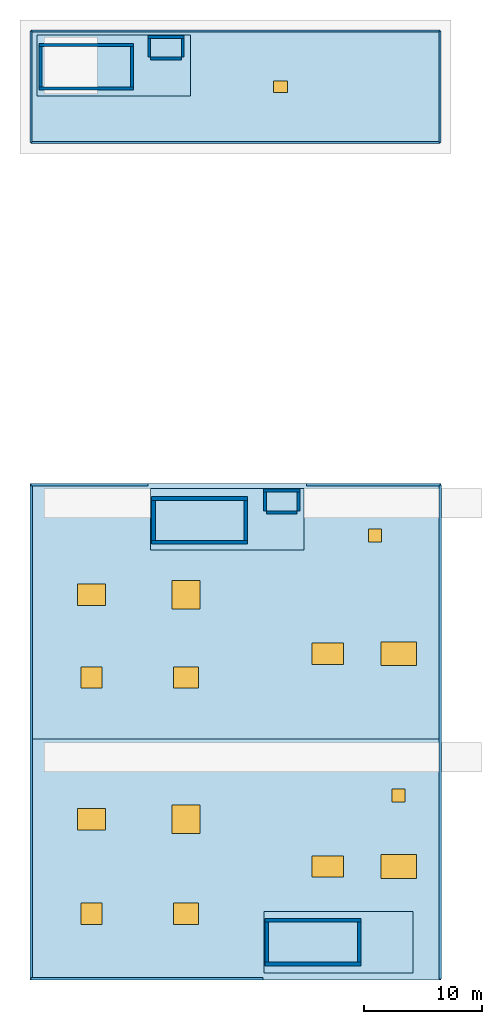
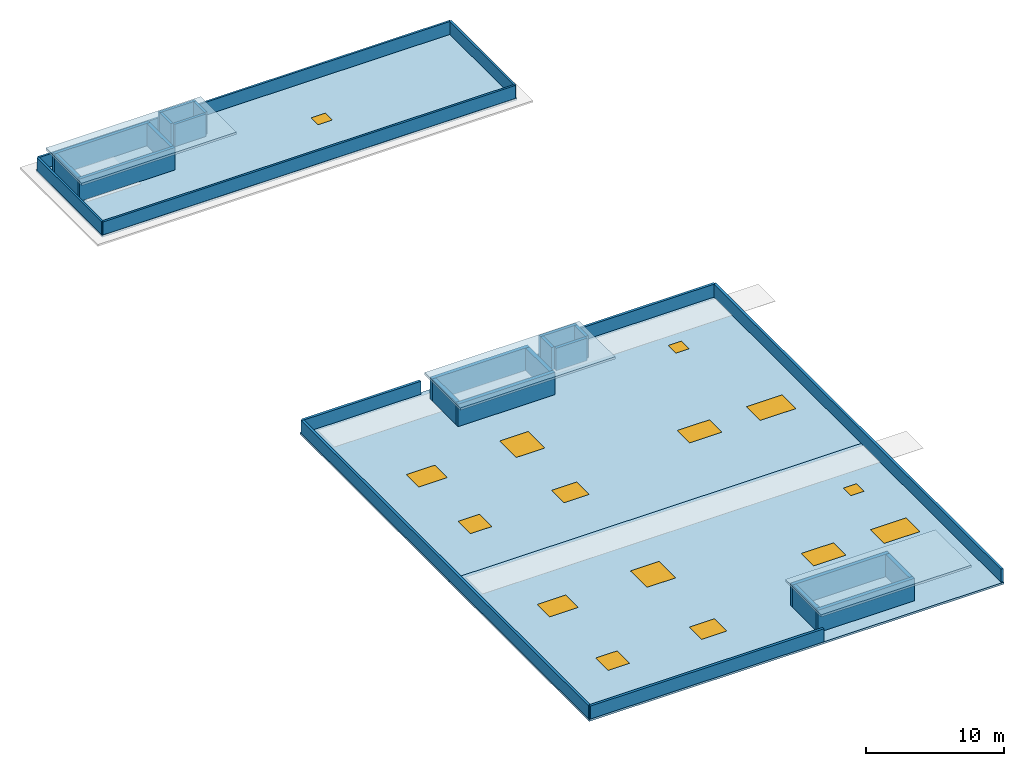
"""IFC4 building model written with IfcOpenShell, lengths in metres."""

from ifc_helpers import new_model, si_unit, direction, frame, frame_2d, origin, origin_2d, place, context, subcontext, project, spatial, polyline, rectangle, outline, extrude, material, layer, layer_set, type_object, element, fill, save


model = new_model("IFC4")

# Units and contexts
model_context = context("Model", 3, precision=1e-05, world=origin(), true_north=direction((0.0, 1.0)))
body_context = subcontext(model_context, "Body", "Model", "MODEL_VIEW")
ifc_project = project(units=[si_unit("LENGTHUNIT", "METRE"), si_unit("AREAUNIT", "SQUARE_METRE"), si_unit("VOLUMEUNIT", "CUBIC_METRE"), si_unit("PLANEANGLEUNIT", "RADIAN"), si_unit("MASSUNIT", "GRAM", prefix="KILO")], contexts=[model_context])

# Site, building, storey
site_placement = place(None, origin())
site = spatial("IfcSite", under=ifc_project, at=site_placement, CompositionType="ELEMENT")
building_placement = place(site_placement, origin())
building = spatial("IfcBuilding", under=site, at=building_placement, Name="Nzembalo Square Collegiate School", CompositionType="ELEMENT")
storey_1_placement = place(building_placement, frame((0.0, 0.0, 24.820068359375)))
storey_1 = spatial("IfcBuildingStorey", under=building, at=storey_1_placement, Name="RF", CompositionType="ELEMENT", Elevation=24.820068359375)

# Slabs
ifc_material_1 = material(Name="Concrete C35/45", Category="concrete")
ifc_layer_1 = layer(ifc_material_1, 0.2099609375, Name="Concrete C35/45")
ifc_layer_set_1 = layer_set([ifc_layer_1], Name="Concrete C35/45")
slab_type_1 = type_object("IfcSlabType", Name="RS-C21", PredefinedType="ROOF", material=ifc_layer_set_1)
slab_1_placement = place(storey_1_placement, frame((0.0, 0.0, 1.77001953125)))
element("IfcSlab", 1, at=slab_1_placement, inside=storey_1, type_object=slab_type_1, Name="Core C4 overrun roof slab RS-OV-C4", PredefinedType="ROOF", context=body_context, shape_type="SweptSolid", body=[
    extrude(outline(polyline([(131.39990234375, 83.199951171875), (144.39990234375, 83.199951171875), (144.39990234375, 88.39990234375), (131.39990234375, 88.39990234375), (131.39990234375, 83.199951171875)])), origin(), (0.0, 0.0, 1.0), 0.2099609375),
])
slab_2_placement = place(storey_1_placement, frame((0.0, 0.0, 1.77001953125)))
element("IfcSlab", 2, at=slab_2_placement, inside=storey_1, type_object=slab_type_1, Name="Core C5 overrun roof slab RS-OV-C5", PredefinedType="ROOF", context=body_context, shape_type="SweptSolid", body=[
    extrude(outline(polyline([(141.0, 44.800048828125), (154.0, 44.800048828125), (154.0, 50.0), (141.0, 50.0), (141.0, 44.800048828125)])), origin(), (0.0, 0.0, 1.0), 0.2099609375),
])
slab_3_placement = place(storey_1_placement, frame((0.0, 0.0, 1.77001953125)))
element("IfcSlab", 3, at=slab_3_placement, inside=storey_1, type_object=slab_type_1, Name="Core C6 overrun roof slab RS-OV-C6", PredefinedType="ROOF", context=body_context, shape_type="SweptSolid", body=[
    extrude(outline(polyline([(150.60009765625, 9.0), (163.199951171875, 9.0), (163.199951171875, 14.199951171875), (150.60009765625, 14.199951171875), (150.60009765625, 9.0)])), origin(), (0.0, 0.0, 1.0), 0.2099609375),
])

# Slab, openings
ifc_material_2 = material(Name="CLT CL24", Category="wood")
ifc_layer_2 = layer(ifc_material_2, 0.179931640625, Name="CLT CL24")
ifc_layer_set_2 = layer_set([ifc_layer_2], Name="CLT CL24")
slab_type_2 = type_object("IfcSlabType", Name="RS-F18", PredefinedType="ROOF", material=ifc_layer_set_2)
slab_4_placement = place(storey_1_placement, frame((0.0, 0.0, -0.18017578125)))
slab_4 = element("IfcSlab", 4, at=slab_4_placement, inside=storey_1, type_object=slab_type_2, Name="Main roof slab RS-RF-01", PredefinedType="ROOF", context=body_context, shape_type="SweptSolid", body=[
    extrude(outline(polyline([(130.800048828125, 8.39990234375), (165.60009765625, 8.39990234375), (165.60009765625, 28.800048828125), (130.800048828125, 28.800048828125), (130.800048828125, 8.39990234375)])), origin(), (0.0, 0.0, 1.0), 0.18017578125),
])
opening_1_placement = place(slab_4_placement, frame((136.0, 14.0, -0.010009765625)))
opening_1 = element("IfcOpeningElement", 5, at=opening_1_placement, cuts=slab_4, Name="Opening SK-RF-01", PredefinedType="OPENING", context=body_context, shape_type="SweptSolid", body=[
    extrude(rectangle(XDim=1.800048828125, YDim=1.800048828125, at=origin_2d()), origin(), (0.0, 0.0, 1.0), 0.2001953125),
])
opening_2_placement = place(slab_4_placement, frame((144.0, 14.0, -0.010009765625)))
opening_2 = element("IfcOpeningElement", 6, at=opening_2_placement, cuts=slab_4, Name="Opening SK-RF-02", PredefinedType="OPENING", context=body_context, shape_type="SweptSolid", body=[
    extrude(rectangle(XDim=2.10009765625, YDim=1.800048828125, at=origin_2d()), origin(), (0.0, 0.0, 1.0), 0.2001953125),
])
opening_3_placement = place(slab_4_placement, frame((136.0, 22.0, -0.010009765625)))
opening_3 = element("IfcOpeningElement", 7, at=opening_3_placement, cuts=slab_4, Name="Opening SK-RF-03", PredefinedType="OPENING", context=body_context, shape_type="SweptSolid", body=[
    extrude(rectangle(XDim=2.39990234375, YDim=1.800048828125, at=origin_2d()), origin(), (0.0, 0.0, 1.0), 0.2001953125),
])
opening_4_placement = place(slab_4_placement, frame((144.0, 22.0, -0.010009765625)))
opening_4 = element("IfcOpeningElement", 8, at=opening_4_placement, cuts=slab_4, Name="Opening SK-RF-04", PredefinedType="OPENING", context=body_context, shape_type="SweptSolid", body=[
    extrude(rectangle(XDim=2.39990234375, YDim=2.39990234375, at=origin_2d()), origin(), (0.0, 0.0, 1.0), 0.2001953125),
])
opening_5_placement = place(slab_4_placement, frame((156.0, 18.0, -0.010009765625)))
opening_5 = element("IfcOpeningElement", 9, at=opening_5_placement, cuts=slab_4, Name="Opening SK-RF-05", PredefinedType="OPENING", context=body_context, shape_type="SweptSolid", body=[
    extrude(rectangle(XDim=2.699951171875, YDim=1.800048828125, at=origin_2d()), origin(), (0.0, 0.0, 1.0), 0.2001953125),
])
opening_6_placement = place(slab_4_placement, frame((162.0, 18.0, -0.010009765625)))
opening_6 = element("IfcOpeningElement", 10, at=opening_6_placement, cuts=slab_4, Name="Opening SK-RF-06", PredefinedType="OPENING", context=body_context, shape_type="SweptSolid", body=[
    extrude(rectangle(XDim=3.0, YDim=2.0, at=origin_2d()), origin(), (0.0, 0.0, 1.0), 0.2001953125),
])
opening_7_placement = place(slab_4_placement, frame((162.0, 24.0, -0.010009765625)))
opening_7 = element("IfcOpeningElement", 11, at=opening_7_placement, cuts=slab_4, Name="Opening HD-01", PredefinedType="OPENING", context=body_context, shape_type="SweptSolid", body=[
    extrude(rectangle(XDim=1.10009765625, YDim=1.10009765625, at=origin_2d()), origin(), (0.0, 0.0, 1.0), 0.2001953125),
])

# Storey
storey_2_placement = place(building_placement, frame((0.0, 0.0, 21.080078125)))
storey_2 = spatial("IfcBuildingStorey", under=building, at=storey_2_placement, Name="L05", CompositionType="ELEMENT", Elevation=21.080078125)

# Door
ifc_material_3 = material(Name="Insulated galvanised steel", Category="steel")
door_type_1 = type_object("IfcDoorType", Name="RH01", OperationType="SINGLE_SWING_LEFT", PredefinedType="TRAPDOOR", material=ifc_material_3)
door_1_placement = place(slab_4_placement, frame((162.0, 24.0, 0.1201171875)))
door_1 = element("IfcDoor", 12, at=door_1_placement, inside=storey_2, type_object=door_type_1, Name="Roof access hatch HD-01", OperationType="SINGLE_SWING_LEFT", OverallHeight=1.10009765625, OverallWidth=1.10009765625, PredefinedType="TRAPDOOR", context=body_context, shape_type="SweptSolid", body=[
    extrude(rectangle(XDim=1.10009765625, YDim=1.10009765625, at=origin_2d()), origin(), (0.0, 0.0, 1.0), 0.06005859375),
])

fill(opening_7, door_1)

# Window
ifc_material_4 = material(Name="Laminated thermally broken skylight glazing", Category="glass")
window_type_1 = type_object("IfcWindowType", Name="SK01", PartitioningType="SINGLE_PANEL", PredefinedType="SKYLIGHT", material=ifc_material_4)
window_1_placement = place(slab_4_placement, frame((136.0, 14.0, 0.1201171875)))
window_1 = element("IfcWindow", 13, at=window_1_placement, inside=storey_2, type_object=window_type_1, Name="Roof skylight SK-RF-01", OverallHeight=1.800048828125, OverallWidth=1.800048828125, PartitioningType="SINGLE_PANEL", PredefinedType="SKYLIGHT", context=body_context, shape_type="SweptSolid", body=[
    extrude(rectangle(XDim=1.800048828125, YDim=1.800048828125, at=origin_2d()), origin(), (0.0, 0.0, 1.0), 0.06005859375),
])

fill(opening_1, window_1)

ifc_material_5 = material(Name="Laminated thermally broken skylight glazing", Category="glass")
window_type_2 = type_object("IfcWindowType", Name="SK02", PartitioningType="SINGLE_PANEL", PredefinedType="SKYLIGHT", material=ifc_material_5)
window_2_placement = place(slab_4_placement, frame((144.0, 14.0, 0.1201171875)))
window_2 = element("IfcWindow", 14, at=window_2_placement, inside=storey_2, type_object=window_type_2, Name="Roof skylight SK-RF-02", OverallHeight=1.800048828125, OverallWidth=2.10009765625, PartitioningType="SINGLE_PANEL", PredefinedType="SKYLIGHT", context=body_context, shape_type="SweptSolid", body=[
    extrude(rectangle(XDim=2.10009765625, YDim=1.800048828125, at=origin_2d()), origin(), (0.0, 0.0, 1.0), 0.06005859375),
])

fill(opening_2, window_2)

ifc_material_6 = material(Name="Laminated thermally broken skylight glazing", Category="glass")
window_type_3 = type_object("IfcWindowType", Name="SK03", PartitioningType="SINGLE_PANEL", PredefinedType="SKYLIGHT", material=ifc_material_6)
window_3_placement = place(slab_4_placement, frame((136.0, 22.0, 0.1201171875)))
window_3 = element("IfcWindow", 15, at=window_3_placement, inside=storey_2, type_object=window_type_3, Name="Roof skylight SK-RF-03", OverallHeight=1.800048828125, OverallWidth=2.39990234375, PartitioningType="SINGLE_PANEL", PredefinedType="SKYLIGHT", context=body_context, shape_type="SweptSolid", body=[
    extrude(rectangle(XDim=2.39990234375, YDim=1.800048828125, at=origin_2d()), origin(), (0.0, 0.0, 1.0), 0.06005859375),
])

fill(opening_3, window_3)

ifc_material_7 = material(Name="Laminated thermally broken skylight glazing", Category="glass")
window_type_4 = type_object("IfcWindowType", Name="SK04", PartitioningType="SINGLE_PANEL", PredefinedType="SKYLIGHT", material=ifc_material_7)
window_4_placement = place(slab_4_placement, frame((144.0, 22.0, 0.1201171875)))
window_4 = element("IfcWindow", 16, at=window_4_placement, inside=storey_2, type_object=window_type_4, Name="Roof skylight SK-RF-04", OverallHeight=2.39990234375, OverallWidth=2.39990234375, PartitioningType="SINGLE_PANEL", PredefinedType="SKYLIGHT", context=body_context, shape_type="SweptSolid", body=[
    extrude(rectangle(XDim=2.39990234375, YDim=2.39990234375, at=origin_2d()), origin(), (0.0, 0.0, 1.0), 0.06005859375),
])

fill(opening_4, window_4)

ifc_material_8 = material(Name="Laminated thermally broken skylight glazing", Category="glass")
window_type_5 = type_object("IfcWindowType", Name="SK05", PartitioningType="SINGLE_PANEL", PredefinedType="SKYLIGHT", material=ifc_material_8)
window_5_placement = place(slab_4_placement, frame((156.0, 18.0, 0.1201171875)))
window_5 = element("IfcWindow", 17, at=window_5_placement, inside=storey_2, type_object=window_type_5, Name="Roof skylight SK-RF-05", OverallHeight=1.800048828125, OverallWidth=2.699951171875, PartitioningType="SINGLE_PANEL", PredefinedType="SKYLIGHT", context=body_context, shape_type="SweptSolid", body=[
    extrude(rectangle(XDim=2.699951171875, YDim=1.800048828125, at=origin_2d()), origin(), (0.0, 0.0, 1.0), 0.06005859375),
])

fill(opening_5, window_5)

ifc_material_9 = material(Name="Laminated thermally broken skylight glazing", Category="glass")
window_type_6 = type_object("IfcWindowType", Name="SK06", PartitioningType="SINGLE_PANEL", PredefinedType="SKYLIGHT", material=ifc_material_9)
window_6_placement = place(slab_4_placement, frame((162.0, 18.0, 0.1201171875)))
window_6 = element("IfcWindow", 18, at=window_6_placement, inside=storey_2, type_object=window_type_6, Name="Roof skylight SK-RF-06", OverallHeight=2.0, OverallWidth=3.0, PartitioningType="SINGLE_PANEL", PredefinedType="SKYLIGHT", context=body_context, shape_type="SweptSolid", body=[
    extrude(rectangle(XDim=3.0, YDim=2.0, at=origin_2d()), origin(), (0.0, 0.0, 1.0), 0.06005859375),
])

fill(opening_6, window_6)

# Slab, openings, door, windows
slab_5_placement = place(storey_1_placement, frame((0.0, 0.0, -0.18017578125)))
slab_5 = element("IfcSlab", 19, at=slab_5_placement, inside=storey_1, type_object=slab_type_2, Name="Main roof slab RS-RF-02", PredefinedType="ROOF", context=body_context, shape_type="SweptSolid", body=[
    extrude(outline(polyline([(130.800048828125, 28.800048828125), (165.60009765625, 28.800048828125), (165.60009765625, 50.39990234375), (130.800048828125, 50.39990234375), (130.800048828125, 28.800048828125)])), origin(), (0.0, 0.0, 1.0), 0.18017578125),
])
opening_8_placement = place(slab_5_placement, frame((136.0, 34.0, -0.010009765625)))
opening_8 = element("IfcOpeningElement", 20, at=opening_8_placement, cuts=slab_5, Name="Opening SK-RF-07", PredefinedType="OPENING", context=body_context, shape_type="SweptSolid", body=[
    extrude(rectangle(XDim=1.800048828125, YDim=1.800048828125, at=origin_2d()), origin(), (0.0, 0.0, 1.0), 0.2001953125),
])
opening_9_placement = place(slab_5_placement, frame((144.0, 34.0, -0.010009765625)))
opening_9 = element("IfcOpeningElement", 21, at=opening_9_placement, cuts=slab_5, Name="Opening SK-RF-08", PredefinedType="OPENING", context=body_context, shape_type="SweptSolid", body=[
    extrude(rectangle(XDim=2.10009765625, YDim=1.800048828125, at=origin_2d()), origin(), (0.0, 0.0, 1.0), 0.2001953125),
])
opening_10_placement = place(slab_5_placement, frame((136.0, 41.0, -0.010009765625)))
opening_10 = element("IfcOpeningElement", 22, at=opening_10_placement, cuts=slab_5, Name="Opening SK-RF-09", PredefinedType="OPENING", context=body_context, shape_type="SweptSolid", body=[
    extrude(rectangle(XDim=2.39990234375, YDim=1.800048828125, at=origin_2d()), origin(), (0.0, 0.0, 1.0), 0.2001953125),
])
opening_11_placement = place(slab_5_placement, frame((144.0, 41.0, -0.010009765625)))
opening_11 = element("IfcOpeningElement", 23, at=opening_11_placement, cuts=slab_5, Name="Opening SK-RF-10", PredefinedType="OPENING", context=body_context, shape_type="SweptSolid", body=[
    extrude(rectangle(XDim=2.39990234375, YDim=2.39990234375, at=origin_2d()), origin(), (0.0, 0.0, 1.0), 0.2001953125),
])
opening_12_placement = place(slab_5_placement, frame((156.0, 36.0, -0.010009765625)))
opening_12 = element("IfcOpeningElement", 24, at=opening_12_placement, cuts=slab_5, Name="Opening SK-RF-11", PredefinedType="OPENING", context=body_context, shape_type="SweptSolid", body=[
    extrude(rectangle(XDim=2.699951171875, YDim=1.800048828125, at=origin_2d()), origin(), (0.0, 0.0, 1.0), 0.2001953125),
])
opening_13_placement = place(slab_5_placement, frame((162.0, 36.0, -0.010009765625)))
opening_13 = element("IfcOpeningElement", 25, at=opening_13_placement, cuts=slab_5, Name="Opening SK-RF-12", PredefinedType="OPENING", context=body_context, shape_type="SweptSolid", body=[
    extrude(rectangle(XDim=3.0, YDim=2.0, at=origin_2d()), origin(), (0.0, 0.0, 1.0), 0.2001953125),
])
opening_14_placement = place(slab_5_placement, frame((160.0, 46.0, -0.010009765625)))
opening_14 = element("IfcOpeningElement", 26, at=opening_14_placement, cuts=slab_5, Name="Opening HD-02", PredefinedType="OPENING", context=body_context, shape_type="SweptSolid", body=[
    extrude(rectangle(XDim=1.10009765625, YDim=1.10009765625, at=origin_2d()), origin(), (0.0, 0.0, 1.0), 0.2001953125),
])
door_2_placement = place(slab_5_placement, frame((160.0, 46.0, 0.1201171875)))
door_2 = element("IfcDoor", 27, at=door_2_placement, inside=storey_2, type_object=door_type_1, Name="Roof access hatch HD-02", OperationType="SINGLE_SWING_LEFT", OverallHeight=1.10009765625, OverallWidth=1.10009765625, PredefinedType="TRAPDOOR", context=body_context, shape_type="SweptSolid", body=[
    extrude(rectangle(XDim=1.10009765625, YDim=1.10009765625, at=origin_2d()), origin(), (0.0, 0.0, 1.0), 0.06005859375),
])
fill(opening_14, door_2)
window_7_placement = place(slab_5_placement, frame((136.0, 34.0, 0.1201171875)))
window_7 = element("IfcWindow", 28, at=window_7_placement, inside=storey_2, type_object=window_type_1, Name="Roof skylight SK-RF-07", OverallHeight=1.800048828125, OverallWidth=1.800048828125, PartitioningType="SINGLE_PANEL", PredefinedType="SKYLIGHT", context=body_context, shape_type="SweptSolid", body=[
    extrude(rectangle(XDim=1.800048828125, YDim=1.800048828125, at=origin_2d()), origin(), (0.0, 0.0, 1.0), 0.06005859375),
])
fill(opening_8, window_7)
window_8_placement = place(slab_5_placement, frame((144.0, 34.0, 0.1201171875)))
window_8 = element("IfcWindow", 29, at=window_8_placement, inside=storey_2, type_object=window_type_2, Name="Roof skylight SK-RF-08", OverallHeight=1.800048828125, OverallWidth=2.10009765625, PartitioningType="SINGLE_PANEL", PredefinedType="SKYLIGHT", context=body_context, shape_type="SweptSolid", body=[
    extrude(rectangle(XDim=2.10009765625, YDim=1.800048828125, at=origin_2d()), origin(), (0.0, 0.0, 1.0), 0.06005859375),
])
fill(opening_9, window_8)
window_9_placement = place(slab_5_placement, frame((136.0, 41.0, 0.1201171875)))
window_9 = element("IfcWindow", 30, at=window_9_placement, inside=storey_2, type_object=window_type_3, Name="Roof skylight SK-RF-09", OverallHeight=1.800048828125, OverallWidth=2.39990234375, PartitioningType="SINGLE_PANEL", PredefinedType="SKYLIGHT", context=body_context, shape_type="SweptSolid", body=[
    extrude(rectangle(XDim=2.39990234375, YDim=1.800048828125, at=origin_2d()), origin(), (0.0, 0.0, 1.0), 0.06005859375),
])
fill(opening_10, window_9)
window_10_placement = place(slab_5_placement, frame((144.0, 41.0, 0.1201171875)))
window_10 = element("IfcWindow", 31, at=window_10_placement, inside=storey_2, type_object=window_type_4, Name="Roof skylight SK-RF-10", OverallHeight=2.39990234375, OverallWidth=2.39990234375, PartitioningType="SINGLE_PANEL", PredefinedType="SKYLIGHT", context=body_context, shape_type="SweptSolid", body=[
    extrude(rectangle(XDim=2.39990234375, YDim=2.39990234375, at=origin_2d()), origin(), (0.0, 0.0, 1.0), 0.06005859375),
])
fill(opening_11, window_10)
window_11_placement = place(slab_5_placement, frame((156.0, 36.0, 0.1201171875)))
window_11 = element("IfcWindow", 32, at=window_11_placement, inside=storey_2, type_object=window_type_5, Name="Roof skylight SK-RF-11", OverallHeight=1.800048828125, OverallWidth=2.699951171875, PartitioningType="SINGLE_PANEL", PredefinedType="SKYLIGHT", context=body_context, shape_type="SweptSolid", body=[
    extrude(rectangle(XDim=2.699951171875, YDim=1.800048828125, at=origin_2d()), origin(), (0.0, 0.0, 1.0), 0.06005859375),
])
fill(opening_12, window_11)
window_12_placement = place(slab_5_placement, frame((162.0, 36.0, 0.1201171875)))
window_12 = element("IfcWindow", 33, at=window_12_placement, inside=storey_2, type_object=window_type_6, Name="Roof skylight SK-RF-12", OverallHeight=2.0, OverallWidth=3.0, PartitioningType="SINGLE_PANEL", PredefinedType="SKYLIGHT", context=body_context, shape_type="SweptSolid", body=[
    extrude(rectangle(XDim=3.0, YDim=2.0, at=origin_2d()), origin(), (0.0, 0.0, 1.0), 0.06005859375),
])
fill(opening_13, window_12)

# Slab, opening, door
slab_6_placement = place(storey_1_placement, frame((0.0, 0.0, -0.18017578125)))
slab_6 = element("IfcSlab", 34, at=slab_6_placement, inside=storey_1, type_object=slab_type_2, Name="Main roof slab RS-RF-03", PredefinedType="ROOF", context=body_context, shape_type="SweptSolid", body=[
    extrude(outline(polyline([(130.800048828125, 79.199951171875), (165.60009765625, 79.199951171875), (165.60009765625, 88.800048828125), (130.800048828125, 88.800048828125), (130.800048828125, 79.199951171875)])), origin(), (0.0, 0.0, 1.0), 0.18017578125),
])
opening_15_placement = place(slab_6_placement, frame((152.0, 84.0, -0.010009765625)))
opening_15 = element("IfcOpeningElement", 35, at=opening_15_placement, cuts=slab_6, Name="Opening HD-03", PredefinedType="OPENING", context=body_context, shape_type="SweptSolid", body=[
    extrude(rectangle(XDim=1.199951171875, YDim=1.0, at=origin_2d()), origin(), (0.0, 0.0, 1.0), 0.2001953125),
])
ifc_material_10 = material(Name="Insulated galvanised steel", Category="steel")
door_type_2 = type_object("IfcDoorType", Name="RH02", OperationType="SINGLE_SWING_LEFT", PredefinedType="TRAPDOOR", material=ifc_material_10)
door_3_placement = place(slab_6_placement, frame((152.0, 84.0, 0.1201171875)))
door_3 = element("IfcDoor", 36, at=door_3_placement, inside=storey_2, type_object=door_type_2, Name="Roof access hatch HD-03", OperationType="SINGLE_SWING_LEFT", OverallHeight=1.0, OverallWidth=1.199951171875, PredefinedType="TRAPDOOR", context=body_context, shape_type="SweptSolid", body=[
    extrude(rectangle(XDim=1.199951171875, YDim=1.0, at=origin_2d()), origin(), (0.0, 0.0, 1.0), 0.06005859375),
])
fill(opening_15, door_3)

# Walls
ifc_material_11 = material(Name="Concrete C40/50", Category="concrete")
ifc_layer_3 = layer(ifc_material_11, 0.320068359375, Name="Concrete C40/50")
ifc_layer_set_3 = layer_set([ifc_layer_3], Name="Concrete C40/50")
wall_type_1 = type_object("IfcWallType", Name="SW01", PredefinedType="SHEAR", material=ifc_layer_set_3)
wall_1_placement = place(storey_1_placement, frame((141.239990234375, 45.60009765625, 0.0), z_axis=(0.0, 0.0, 1.0), x_axis=(0.0, 1.0, 0.0)))
element("IfcWall", 37, at=wall_1_placement, inside=storey_1, type_object=wall_type_1, Name="Core C5 stair shear wall W RF", PredefinedType="SHEAR", context=body_context, shape_type="SweptSolid", body=[
    extrude(rectangle(XDim=3.39990234375, YDim=0.320068359375, at=frame_2d((1.699951171875, 0.0))), origin(), (0.0, 0.0, 1.0), 1.97998046875),
])
for number, where, z_axis, x_axis, name in (
    (38, (141.080078125, 45.43994140625, 0.0), (0.0, 0.0, 1.0), (1.0, 0.0, 0.0), "Core C5 stair shear wall S RF"),
    (39, (141.080078125, 49.159912109375, 0.0), (0.0, 0.0, 1.0), (1.0, 0.0, 0.0), "Core C5 stair shear wall N RF"),
):
    element("IfcWall", number, at=place(storey_1_placement, frame(where, z_axis=z_axis, x_axis=x_axis)), inside=storey_1, type_object=wall_type_1, Name=name, PredefinedType="SHEAR", context=body_context, shape_type="SweptSolid", body=[
        extrude(rectangle(XDim=8.139892578125, YDim=0.320068359375, at=frame_2d((4.06982421875, 0.0))), origin(), (0.0, 0.0, 1.0), 1.97998046875),
    ])
wall_2_placement = place(storey_1_placement, frame((149.06005859375, 45.60009765625, 0.0), z_axis=(0.0, 0.0, 1.0), x_axis=(0.0, 1.0, 0.0)))
element("IfcWall", 40, at=wall_2_placement, inside=storey_1, type_object=wall_type_1, Name="Core C5 stair shear wall E RF", PredefinedType="SHEAR", context=body_context, shape_type="SweptSolid", body=[
    extrude(rectangle(XDim=3.39990234375, YDim=0.320068359375, at=frame_2d((1.699951171875, 0.0))), origin(), (0.0, 0.0, 1.0), 1.97998046875),
])
ifc_material_12 = material(Name="Concrete C40/50", Category="concrete")
ifc_layer_4 = layer(ifc_material_12, 0.300048828125, Name="Concrete C40/50")
ifc_layer_set_4 = layer_set([ifc_layer_4], Name="Concrete C40/50")
wall_type_2 = type_object("IfcWallType", Name="SW02", PredefinedType="SHEAR", material=ifc_layer_set_4)
wall_3_placement = place(storey_1_placement, frame((150.85009765625, 9.89990234375, 0.0), z_axis=(0.0, 0.0, 1.0), x_axis=(0.0, 1.0, 0.0)))
element("IfcWall", 41, at=wall_3_placement, inside=storey_1, type_object=wall_type_2, Name="Core C6 stair shear wall W RF", PredefinedType="SHEAR", context=body_context, shape_type="SweptSolid", body=[
    extrude(rectangle(XDim=3.400146484375, YDim=0.300048828125, at=frame_2d((1.7001953125, 0.0))), origin(), (0.0, 0.0, 1.0), 1.97998046875),
])
for number, where, z_axis, x_axis, name in (
    (42, (150.699951171875, 9.75, 0.0), (0.0, 0.0, 1.0), (1.0, 0.0, 0.0), "Core C6 stair shear wall S RF"),
    (43, (150.699951171875, 13.449951171875, 0.0), (0.0, 0.0, 1.0), (1.0, 0.0, 0.0), "Core C6 stair shear wall N RF"),
):
    element("IfcWall", number, at=place(storey_1_placement, frame(where, z_axis=z_axis, x_axis=x_axis)), inside=storey_1, type_object=wall_type_2, Name=name, PredefinedType="SHEAR", context=body_context, shape_type="SweptSolid", body=[
        extrude(rectangle(XDim=8.10009765625, YDim=0.300048828125, at=frame_2d((4.050048828125, 0.0))), origin(), (0.0, 0.0, 1.0), 1.97998046875),
    ])
wall_4_placement = place(storey_1_placement, frame((158.64990234375, 9.89990234375, 0.0), z_axis=(0.0, 0.0, 1.0), x_axis=(0.0, 1.0, 0.0)))
element("IfcWall", 44, at=wall_4_placement, inside=storey_1, type_object=wall_type_2, Name="Core C6 stair shear wall E RF", PredefinedType="SHEAR", context=body_context, shape_type="SweptSolid", body=[
    extrude(rectangle(XDim=3.400146484375, YDim=0.300048828125, at=frame_2d((1.7001953125, 0.0))), origin(), (0.0, 0.0, 1.0), 1.97998046875),
])
ifc_material_13 = material(Name="Concrete C35/45", Category="concrete")
ifc_layer_5 = layer(ifc_material_13, 0.260009765625, Name="Concrete C35/45")
ifc_layer_set_5 = layer_set([ifc_layer_5], Name="Concrete C35/45")
wall_type_3 = type_object("IfcWallType", Name="SW04", PredefinedType="SHEAR", material=ifc_layer_set_5)
wall_5_placement = place(storey_1_placement, frame((131.669921875, 84.0, 0.0), z_axis=(0.0, 0.0, 1.0), x_axis=(0.0, 1.0, 0.0)))
element("IfcWall", 45, at=wall_5_placement, inside=storey_1, type_object=wall_type_3, Name="Core C4 stair shear wall W RF", PredefinedType="SHEAR", context=body_context, shape_type="SweptSolid", body=[
    extrude(rectangle(XDim=3.39990234375, YDim=0.260009765625, at=frame_2d((1.699951171875, 0.0))), origin(), (0.0, 0.0, 1.0), 1.97998046875),
])
for number, where, z_axis, x_axis, name in (
    (46, (131.5400390625, 83.8701171875, 0.0), (0.0, 0.0, 1.0), (1.0, 0.0, 0.0), "Core C4 stair shear wall S RF"),
    (47, (131.5400390625, 87.530029296875, 0.0), (0.0, 0.0, 1.0), (1.0, 0.0, 0.0), "Core C4 stair shear wall N RF"),
):
    element("IfcWall", number, at=place(storey_1_placement, frame(where, z_axis=z_axis, x_axis=x_axis)), inside=storey_1, type_object=wall_type_3, Name=name, PredefinedType="SHEAR", context=body_context, shape_type="SweptSolid", body=[
        extrude(rectangle(XDim=8.02001953125, YDim=0.260009765625, at=frame_2d((4.010009765625, 0.0))), origin(), (0.0, 0.0, 1.0), 1.97998046875),
    ])
wall_6_placement = place(storey_1_placement, frame((139.429931640625, 84.0, 0.0), z_axis=(0.0, 0.0, 1.0), x_axis=(0.0, 1.0, 0.0)))
element("IfcWall", 48, at=wall_6_placement, inside=storey_1, type_object=wall_type_3, Name="Core C4 stair shear wall E RF", PredefinedType="SHEAR", context=body_context, shape_type="SweptSolid", body=[
    extrude(rectangle(XDim=3.39990234375, YDim=0.260009765625, at=frame_2d((1.699951171875, 0.0))), origin(), (0.0, 0.0, 1.0), 1.97998046875),
])
ifc_material_14 = material(Name="Concrete C35/45", Category="concrete")
ifc_layer_6 = layer(ifc_material_14, 0.25, Name="Concrete C35/45")
ifc_layer_set_6 = layer_set([ifc_layer_6], Name="Concrete C35/45")
wall_type_4 = type_object("IfcWallType", Name="SW05", PredefinedType="SHEAR", material=ifc_layer_set_6)
for number, where, z_axis, x_axis, name in (
    (49, (150.675048828125, 48.10009765625, 0.0), (0.0, 0.0, 1.0), (0.0, 1.0, 0.0), "Lift LF4 shaft wall W RF"),
    (50, (153.52490234375, 48.10009765625, 0.0), (0.0, 0.0, 1.0), (0.0, 1.0, 0.0), "Lift LF4 shaft wall E RF"),
):
    element("IfcWall", number, at=place(storey_1_placement, frame(where, z_axis=z_axis, x_axis=x_axis)), inside=storey_1, type_object=wall_type_4, Name=name, PredefinedType="SHEAR", context=body_context, shape_type="SweptSolid", body=[
        extrude(rectangle(XDim=1.599853515625, YDim=0.25, at=frame_2d((0.7998046875, 0.0))), origin(), (0.0, 0.0, 1.0), 1.97998046875),
    ])
wall_7_placement = place(storey_1_placement, frame((150.550048828125, 49.824951171875, 0.0), z_axis=(0.0, 0.0, 1.0), x_axis=(1.0, 0.0, 0.0)))
element("IfcWall", 51, at=wall_7_placement, inside=storey_1, type_object=wall_type_4, Name="Lift LF4 shaft wall N RF", PredefinedType="SHEAR", context=body_context, shape_type="SweptSolid", body=[
    extrude(rectangle(XDim=3.099853515625, YDim=0.25, at=frame_2d((1.5498046875, 0.0))), origin(), (0.0, 0.0, 1.0), 1.97998046875),
])
wall_8_placement = place(storey_1_placement, frame((150.800048828125, 47.97509765625, 0.0), z_axis=(0.0, 0.0, 1.0), x_axis=(1.0, 0.0, 0.0)))
element("IfcWall", 52, at=wall_8_placement, inside=storey_1, type_object=wall_type_4, Name="Lift LF4 landing front wall RF", PredefinedType="SHEAR", context=body_context, shape_type="SweptSolid", body=[
    extrude(rectangle(XDim=2.599853515625, YDim=0.25, at=frame_2d((1.2998046875, 0.0))), origin(), (0.0, 0.0, 1.0), 1.97998046875),
])
ifc_material_15 = material(Name="Concrete C35/45", Category="concrete")
ifc_layer_7 = layer(ifc_material_15, 0.219970703125, Name="Concrete C35/45")
ifc_layer_set_7 = layer_set([ifc_layer_7], Name="Concrete C35/45")
wall_type_5 = type_object("IfcWallType", Name="SW08", PredefinedType="SHEAR", material=ifc_layer_set_7)
for number, where, z_axis, x_axis, name in (
    (53, (140.889892578125, 86.5, 0.0), (0.0, 0.0, 1.0), (0.0, 1.0, 0.0), "Lift LF3 shaft wall W RF"),
    (54, (143.7099609375, 86.5, 0.0), (0.0, 0.0, 1.0), (0.0, 1.0, 0.0), "Lift LF3 shaft wall E RF"),
):
    element("IfcWall", number, at=place(storey_1_placement, frame(where, z_axis=z_axis, x_axis=x_axis)), inside=storey_1, type_object=wall_type_5, Name=name, PredefinedType="SHEAR", context=body_context, shape_type="SweptSolid", body=[
        extrude(rectangle(XDim=1.60009765625, YDim=0.219970703125, at=frame_2d((0.800048828125, 0.0))), origin(), (0.0, 0.0, 1.0), 1.97998046875),
    ])
wall_9_placement = place(storey_1_placement, frame((140.780029296875, 88.2099609375, 0.0), z_axis=(0.0, 0.0, 1.0), x_axis=(1.0, 0.0, 0.0)))
element("IfcWall", 55, at=wall_9_placement, inside=storey_1, type_object=wall_type_5, Name="Lift LF3 shaft wall N RF", PredefinedType="SHEAR", context=body_context, shape_type="SweptSolid", body=[
    extrude(rectangle(XDim=3.0400390625, YDim=0.219970703125, at=frame_2d((1.52001953125, 0.0))), origin(), (0.0, 0.0, 1.0), 1.97998046875),
])
wall_10_placement = place(storey_1_placement, frame((141.0, 86.389892578125, 0.0), z_axis=(0.0, 0.0, 1.0), x_axis=(1.0, 0.0, 0.0)))
element("IfcWall", 56, at=wall_10_placement, inside=storey_1, type_object=wall_type_5, Name="Lift LF3 landing front wall RF", PredefinedType="SHEAR", context=body_context, shape_type="SweptSolid", body=[
    extrude(rectangle(XDim=2.60009765625, YDim=0.219970703125, at=frame_2d((1.300048828125, 0.0))), origin(), (0.0, 0.0, 1.0), 1.97998046875),
])
ifc_material_16 = material(Name="Concrete C35/45", Category="concrete")
ifc_layer_8 = layer(ifc_material_16, 0.2099609375, Name="Concrete C35/45")
ifc_layer_set_8 = layer_set([ifc_layer_8], Name="Concrete C35/45")
wall_type_6 = type_object("IfcWallType", Name="WP01", PredefinedType="PARAPET", material=ifc_layer_set_8)
wall_11_placement = place(storey_1_placement, frame((130.89990234375, 8.5, 0.0), z_axis=(0.0, 0.0, 1.0), x_axis=(1.0, 0.0, 0.0)))
element("IfcWall", 57, at=wall_11_placement, inside=storey_1, type_object=wall_type_6, Name="Roof parapet WP01-01", PredefinedType="PARAPET", context=body_context, shape_type="SweptSolid", body=[
    extrude(rectangle(XDim=19.60009765625, YDim=0.2099609375, at=frame_2d((9.800048828125, 0.0))), origin(), (0.0, 0.0, 1.0), 1.14990234375),
])
wall_12_placement = place(storey_1_placement, frame((165.5, 8.5, 0.0), z_axis=(0.0, 0.0, 1.0), x_axis=(0.0, 1.0, 0.0)))
element("IfcWall", 58, at=wall_12_placement, inside=storey_1, type_object=wall_type_6, Name="Roof parapet WP01-02", PredefinedType="PARAPET", context=body_context, shape_type="SweptSolid", body=[
    extrude(rectangle(XDim=41.800048828125, YDim=0.2099609375, at=frame_2d((20.89990234375, 0.0))), origin(), (0.0, 0.0, 1.0), 1.14990234375),
])
wall_13_placement = place(storey_1_placement, frame((130.89990234375, 50.300048828125, 0.0), z_axis=(0.0, 0.0, 1.0), x_axis=(1.0, 0.0, 0.0)))
element("IfcWall", 59, at=wall_13_placement, inside=storey_1, type_object=wall_type_6, Name="Roof parapet WP01-03", PredefinedType="PARAPET", context=body_context, shape_type="SweptSolid", body=[
    extrude(rectangle(XDim=9.900146484375, YDim=0.2099609375, at=frame_2d((4.9501953125, 0.0))), origin(), (0.0, 0.0, 1.0), 1.14990234375),
])
wall_14_placement = place(storey_1_placement, frame((154.199951171875, 50.300048828125, 0.0), z_axis=(0.0, 0.0, 1.0), x_axis=(1.0, 0.0, 0.0)))
element("IfcWall", 60, at=wall_14_placement, inside=storey_1, type_object=wall_type_6, Name="Roof parapet WP01-04", PredefinedType="PARAPET", context=body_context, shape_type="SweptSolid", body=[
    extrude(rectangle(XDim=11.300048828125, YDim=0.2099609375, at=frame_2d((5.64990234375, 0.0))), origin(), (0.0, 0.0, 1.0), 1.14990234375),
])
wall_15_placement = place(storey_1_placement, frame((130.89990234375, 50.300048828125, 0.0), z_axis=(0.0, 0.0, 1.0), x_axis=(0.0, -1.0, 0.0)))
element("IfcWall", 61, at=wall_15_placement, inside=storey_1, type_object=wall_type_6, Name="Roof parapet WP01-05", PredefinedType="PARAPET", context=body_context, shape_type="SweptSolid", body=[
    extrude(rectangle(XDim=41.800048828125, YDim=0.2099609375, at=frame_2d((20.89990234375, 0.0))), origin(), (0.0, 0.0, 1.0), 1.14990234375),
])
ifc_material_17 = material(Name="Concrete C30/37", Category="concrete")
ifc_layer_9 = layer(ifc_material_17, 0.169921875, Name="Concrete C30/37")
ifc_layer_set_9 = layer_set([ifc_layer_9], Name="Concrete C30/37")
wall_type_7 = type_object("IfcWallType", Name="WP03", PredefinedType="PARAPET", material=ifc_layer_set_9)
wall_16_placement = place(storey_1_placement, frame((130.89990234375, 79.300048828125, 0.0), z_axis=(0.0, 0.0, 1.0), x_axis=(1.0, 0.0, 0.0)))
element("IfcWall", 62, at=wall_16_placement, inside=storey_1, type_object=wall_type_7, Name="Roof parapet WP03-06", PredefinedType="PARAPET", context=body_context, shape_type="SweptSolid", body=[
    extrude(rectangle(XDim=34.60009765625, YDim=0.169921875, at=frame_2d((17.300048828125, 0.0))), origin(), (0.0, 0.0, 1.0), 1.14990234375),
])
wall_17_placement = place(storey_1_placement, frame((165.5, 79.300048828125, 0.0), z_axis=(0.0, 0.0, 1.0), x_axis=(0.0, 1.0, 0.0)))
element("IfcWall", 63, at=wall_17_placement, inside=storey_1, type_object=wall_type_7, Name="Roof parapet WP03-07", PredefinedType="PARAPET", context=body_context, shape_type="SweptSolid", body=[
    extrude(rectangle(XDim=9.39990234375, YDim=0.169921875, at=frame_2d((4.699951171875, 0.0))), origin(), (0.0, 0.0, 1.0), 1.14990234375),
])
wall_18_placement = place(storey_1_placement, frame((165.5, 88.699951171875, 0.0), z_axis=(0.0, 0.0, 1.0), x_axis=(-1.0, 0.0, 0.0)))
element("IfcWall", 64, at=wall_18_placement, inside=storey_1, type_object=wall_type_7, Name="Roof parapet WP03-08", PredefinedType="PARAPET", context=body_context, shape_type="SweptSolid", body=[
    extrude(rectangle(XDim=34.60009765625, YDim=0.169921875, at=frame_2d((17.300048828125, 0.0))), origin(), (0.0, 0.0, 1.0), 1.14990234375),
])
wall_19_placement = place(storey_1_placement, frame((130.89990234375, 88.699951171875, 0.0), z_axis=(0.0, 0.0, 1.0), x_axis=(0.0, -1.0, 0.0)))
element("IfcWall", 65, at=wall_19_placement, inside=storey_1, type_object=wall_type_7, Name="Roof parapet WP03-09", PredefinedType="PARAPET", context=body_context, shape_type="SweptSolid", body=[
    extrude(rectangle(XDim=9.39990234375, YDim=0.169921875, at=frame_2d((4.699951171875, 0.0))), origin(), (0.0, 0.0, 1.0), 1.14990234375),
])

save(model, "model.ifc")
